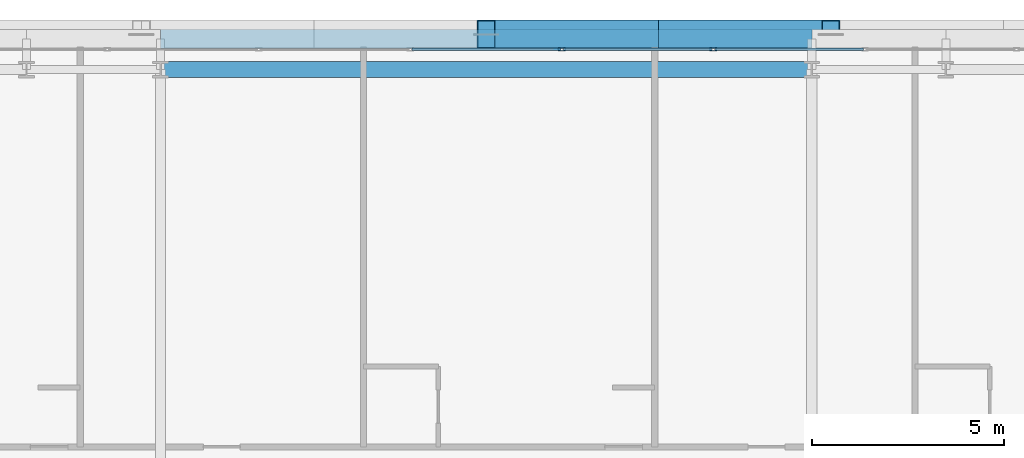
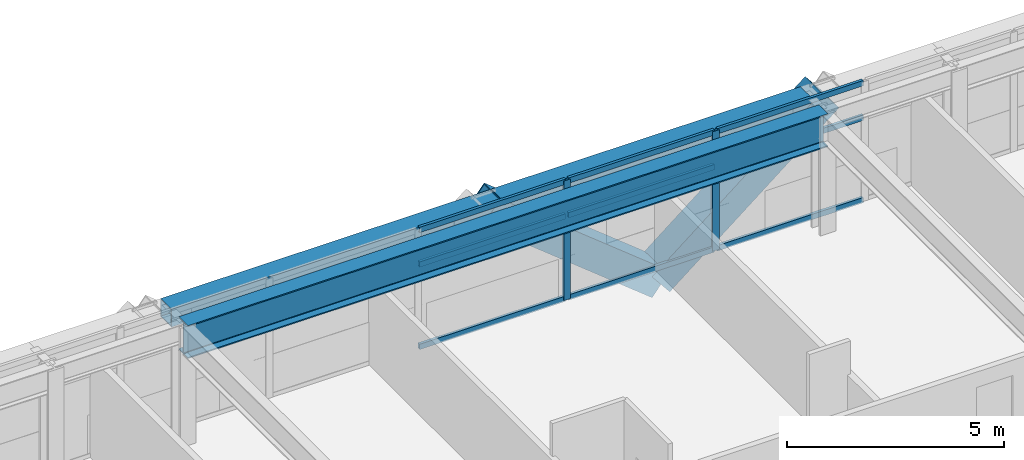
# One storey, part 19 of 35: 13 members, 2 beams, 1 element without a shape of its own.
"""IFC4 building model written with IfcOpenShell, lengths in metres."""

import ifcopenshell
import ifcopenshell.guid

model = None  # the IFC model being written
_history = None  # IfcOwnerHistory: only IFC2X3 demands one
_inside = {}  # id of a spatial element -> (the spatial element, [elements in it])
_under = {}  # id of a project, library or spatial element -> (it, [spatial elements below it])
_declared = {}  # id of a project -> (the project, [libraries it declares])
_typed = {}  # id of a type object -> (the type object, [elements of that type])
_made_of = {}  # id of a material, layer set ... -> (it, [elements and type objects made of it])


def new_model(schema):
    """Start an empty IFC model of exactly this schema.

    Asked for "IFC4X3", IfcOpenShell would pick the latest addendum, in which some entities
    have other attributes; the version numbers below select the first issue.
    IFC2X3 requires an IfcOwnerHistory on every rooted entity: one is made here for all.
    """
    global model, _history
    if schema == "IFC4X3":
        model = ifcopenshell.file(schema_version=(4, 3, 0, 0))
    else:
        model = ifcopenshell.file(schema=schema)
    _inside.clear()
    _under.clear()
    _declared.clear()
    _typed.clear()
    _made_of.clear()
    _history = None
    if model.schema == "IFC2X3":
        org = make("IfcOrganization", Name="unknown")
        user = make(
            "IfcPersonAndOrganization",
            ThePerson=make("IfcPerson", FamilyName="unknown"),
            TheOrganization=org,
        )
        app = make(
            "IfcApplication",
            ApplicationDeveloper=org,
            Version="unknown",
            ApplicationFullName="unknown",
            ApplicationIdentifier="unknown",
        )
        _history = make(
            "IfcOwnerHistory",
            OwningUser=user,
            OwningApplication=app,
            ChangeAction="ADDED",
            CreationDate=0,
        )
    return model


def make(cls, **values):
    """One entity of the class cls with the attributes given. An attribute that is None is left unset."""
    return model.create_entity(
        cls, **{name: value for name, value in values.items() if value is not None}
    )


def rooted(cls, **values):
    """An entity with a GlobalId (a new one), such as an element, a storey or a relation."""
    return make(cls, GlobalId=ifcopenshell.guid.new(), OwnerHistory=_history, **values)


def si_unit(unit_type, name, prefix=None):
    """IfcSIUnit, for example si_unit("LENGTHUNIT", "METRE", prefix="MILLI")."""
    return make("IfcSIUnit", UnitType=unit_type, Prefix=prefix, Name=name)


def assignment(units):
    """IfcUnitAssignment: the units of a project."""
    return None if units is None else make("IfcUnitAssignment", Units=units)


def point(xyz):
    """IfcCartesianPoint."""
    return None if xyz is None else make("IfcCartesianPoint", Coordinates=xyz)


def direction(xyz):
    """IfcDirection."""
    return None if xyz is None else make("IfcDirection", DirectionRatios=xyz)


def frame(location, z_axis=None, x_axis=None):
    """IfcAxis2Placement3D, a coordinate frame: its origin and axes. An axis left out is left unset."""
    return make(
        "IfcAxis2Placement3D",
        Location=point(location),
        Axis=direction(z_axis),
        RefDirection=direction(x_axis),
    )


def frame_2d(location, x_axis=None):
    """IfcAxis2Placement2D, a coordinate frame in the plane: its origin and x axis."""
    return make(
        "IfcAxis2Placement2D", Location=point(location), RefDirection=direction(x_axis)
    )


def origin():
    """The frame at (0, 0, 0) with its axes left unset."""
    return frame((0.0, 0.0, 0.0))


def origin_2d():
    """The frame at (0, 0) in the plane with its x axis left unset."""
    return frame_2d((0.0, 0.0))


def place(relative_to, where):
    """IfcLocalPlacement: puts the frame where relative to a parent placement (None: the world)."""
    return make(
        "IfcLocalPlacement", PlacementRelTo=relative_to, RelativePlacement=where
    )


def context(
    kind, dimensions, precision=None, world=None, true_north=None, identifier=None
):
    """IfcGeometricRepresentationContext, for example the 3D "Model" context."""
    return make(
        "IfcGeometricRepresentationContext",
        ContextIdentifier=identifier,
        ContextType=kind,
        CoordinateSpaceDimension=dimensions,
        Precision=precision,
        WorldCoordinateSystem=world,
        TrueNorth=true_north,
    )


def subcontext(parent, identifier, kind, view, scale=None):
    """IfcGeometricRepresentationSubContext, for example "Body" below "Model"."""
    return make(
        "IfcGeometricRepresentationSubContext",
        ContextIdentifier=identifier,
        ContextType=kind,
        ParentContext=parent,
        TargetScale=scale,
        TargetView=view,
    )


def project(units=None, contexts=None):
    """IfcProject with its units and contexts."""
    return rooted(
        "IfcProject",
        Name="project",
        RepresentationContexts=contexts,
        UnitsInContext=assignment(units),
    )


def spatial(cls, under=None, at=None, **own):
    """A site, building, storey or space (cls), placed at a placement, below another one or the project."""
    s = rooted(cls, ObjectPlacement=at, **own)
    if under is not None:
        _under.setdefault(under.id(), (under, []))[1].append(s)
    return s


def profile(cls, at=None, kind="AREA", **sizes):
    """A parametric profile (cls). Its sizes go by their IFC names, for example OverallWidth=200.0."""
    return make(cls, ProfileType=kind, Position=at, **sizes)


def hollow_rectangle(**sizes):
    """IfcRectangleHollowProfileDef."""
    return profile("IfcRectangleHollowProfileDef", **sizes)


def i_section(**sizes):
    """IfcIShapeProfileDef."""
    return profile("IfcIShapeProfileDef", **sizes)


def extrude(swept, where, along, depth):
    """IfcExtrudedAreaSolid: the profile swept, set in the frame where, extruded along a direction by depth."""
    return make(
        "IfcExtrudedAreaSolid",
        SweptArea=swept,
        Position=where,
        ExtrudedDirection=direction(along),
        Depth=depth,
    )


def shape(context_of_items, identifier, shape_type, items):
    """IfcShapeRepresentation: the items that make up one representation, for example the "Body"."""
    return make(
        "IfcShapeRepresentation",
        ContextOfItems=context_of_items,
        RepresentationIdentifier=identifier,
        RepresentationType=shape_type,
        Items=items,
    )


def source(mapping_origin, context_of_items, identifier, shape_type, items):
    """IfcRepresentationMap: a shape defined once, which mapped items show again and again."""
    return make(
        "IfcRepresentationMap",
        MappingOrigin=mapping_origin,
        MappedRepresentation=shape(context_of_items, identifier, shape_type, items),
    )


def transform(
    local_origin,
    x_axis=None,
    y_axis=None,
    z_axis=None,
    scale=None,
    scale2=None,
    scale3=None,
    uniform=True,
):
    """IfcCartesianTransformationOperator3D, or its non-uniform kind. x_axis, y_axis, z_axis: its Axis1, 2, 3."""
    if uniform:
        return make(
            "IfcCartesianTransformationOperator3D",
            Axis1=direction(x_axis),
            Axis2=direction(y_axis),
            LocalOrigin=point(local_origin),
            Scale=scale,
            Axis3=direction(z_axis),
        )
    return make(
        "IfcCartesianTransformationOperator3DnonUniform",
        Axis1=direction(x_axis),
        Axis2=direction(y_axis),
        LocalOrigin=point(local_origin),
        Scale=scale,
        Axis3=direction(z_axis),
        Scale2=scale2,
        Scale3=scale3,
    )


def mapped(mapping_source, mapping_target):
    """IfcMappedItem: shows the shape of a source again, moved by a transform."""
    return make(
        "IfcMappedItem", MappingSource=mapping_source, MappingTarget=mapping_target
    )


def material(Name=None, Category=None):
    """IfcMaterial."""
    return make("IfcMaterial", Name=Name, Category=Category)


def layer(
    of_material, thickness, ventilated=None, Name=None, Category=None, Priority=None
):
    """IfcMaterialLayer: one layer of a wall or slab, of a material (None: an air gap)."""
    return make(
        "IfcMaterialLayer",
        Material=of_material,
        LayerThickness=thickness,
        IsVentilated=ventilated,
        Name=Name,
        Category=Category,
        Priority=Priority,
    )


def layer_set(layers, Name=None):
    """IfcMaterialLayerSet."""
    return make("IfcMaterialLayerSet", MaterialLayers=layers, LayerSetName=Name)


def material_profile(
    of_material, cross_section, Name=None, Category=None, Priority=None
):
    """IfcMaterialProfile: a cross section and its material."""
    return make(
        "IfcMaterialProfile",
        Name=Name,
        Material=of_material,
        Profile=cross_section,
        Priority=Priority,
        Category=Category,
    )


def profile_set(profiles, Name=None, composite=None):
    """IfcMaterialProfileSet."""
    return make(
        "IfcMaterialProfileSet",
        Name=Name,
        MaterialProfiles=profiles,
        CompositeProfile=composite,
    )


def made_of(thing, what):
    """Note that an element or type object is made of a material, layer set ...; save() writes the relation."""
    if what is not None:
        _made_of.setdefault(what.id(), (what, []))[1].append(thing)
    return thing


def type_object(cls, material=None, **own):
    """A type object (cls), such as IfcWallType, which elements share."""
    return made_of(rooted(cls, **own), material)


def element(
    cls,
    number,
    at=None,
    inside=None,
    cuts=None,
    type_object=None,
    material=None,
    context=None,
    identifier="Body",
    shape_type=None,
    held_by="IfcProductDefinitionShape",
    body=None,
    shapes=None,
    **own,
):
    """One element of the class cls, such as IfcWall. Its Tag is "e" and its number.

    at: its placement. inside: the storey or other place that contains it. cuts: it is an
    opening in that element (IfcRelVoidsElement). A single representation is given by context,
    identifier, shape_type and body (its items); several are given by shapes. held_by: the class
    of the entity that holds the representations. save() writes the other relations.
    """
    e = rooted(cls, Tag="e%d" % number, ObjectPlacement=at, **own)
    if body is not None:
        shapes = [shape(context, identifier, shape_type, body)]
    if shapes is not None:
        e.Representation = make(held_by, Representations=shapes)
    if inside is not None:
        _inside.setdefault(inside.id(), (inside, []))[1].append(e)
    if cuts is not None:
        rooted(
            "IfcRelVoidsElement", RelatingBuildingElement=cuts, RelatedOpeningElement=e
        )
    if type_object is not None:
        _typed.setdefault(type_object.id(), (type_object, []))[1].append(e)
    return made_of(e, material)


def aggregate(whole, parts):
    """IfcRelAggregates: a whole, such as a stair, and the parts it consists of."""
    return rooted("IfcRelAggregates", RelatingObject=whole, RelatedObjects=parts)


def save(model, path):
    """Write the relations noted so far, then the file.

    IfcRelAggregates (storeys below a building ...), IfcRelContainedInSpatialStructure (elements
    in a storey), IfcRelDefinesByType, IfcRelAssociatesMaterial and IfcRelDeclares: one each for
    every whole, place, type object, material and project.
    """
    for whole, parts in _under.values():
        aggregate(whole, parts)
    for where, things in _inside.values():
        rooted(
            "IfcRelContainedInSpatialStructure",
            RelatedElements=things,
            RelatingStructure=where,
        )
    for kind, things in _typed.values():
        rooted("IfcRelDefinesByType", RelatedObjects=things, RelatingType=kind)
    for what, things in _made_of.values():
        rooted("IfcRelAssociatesMaterial", RelatedObjects=things, RelatingMaterial=what)
    for by, libraries in _declared.values():
        rooted("IfcRelDeclares", RelatingContext=by, RelatedDefinitions=libraries)
    model.write(path)


model = new_model("IFC4")

# Units and contexts
model_context = context("Model", 3, precision=1e-05, world=origin(), true_north=direction((0.0, 1.0)))
body_context = subcontext(model_context, "Body", "Model", "MODEL_VIEW")
ifc_project = project(units=[si_unit("LENGTHUNIT", "METRE"), si_unit("AREAUNIT", "SQUARE_METRE"), si_unit("VOLUMEUNIT", "CUBIC_METRE"), si_unit("PLANEANGLEUNIT", "RADIAN"), si_unit("MASSUNIT", "GRAM", prefix="KILO")], contexts=[model_context])

# Site, building, storey
site_placement = place(None, origin())
site = spatial("IfcSite", under=ifc_project, at=site_placement, CompositionType="ELEMENT")
building_placement = place(site_placement, origin())
building = spatial("IfcBuilding", under=site, at=building_placement, Name="Ocotamira Hotel", CompositionType="ELEMENT")
storey_placement = place(building_placement, frame((0.0, 0.0, 115.199951171875)))
storey = spatial("IfcBuildingStorey", under=building, at=storey_placement, Name="L28", CompositionType="ELEMENT", Elevation=115.199951171875)

# Beams
ifc_material_1 = material(Name="Steel ASTM A992 Grade 50", Category="steel")
ifc_material_profile_1 = material_profile(ifc_material_1, i_section(OverallWidth=0.41796875, OverallDepth=0.927001953125, WebThickness=0.019287109375, FlangeThickness=0.031982421875, FilletRadius=0.02392578125, at=origin_2d()), Name="W36X231")
ifc_profile_set_1 = profile_set([ifc_material_profile_1], Name="Steel ASTM A992 Grade 50")
beam_type_1 = type_object("IfcBeamType", Name="BM-GIRD-W36X231", PredefinedType="BEAM", material=ifc_profile_set_1)
shared_shape_1 = source(origin(), body_context, "Body", "SweptSolid", [
    extrude(i_section(OverallWidth=0.41796875, OverallDepth=0.927001953125, WebThickness=0.019287109375, FlangeThickness=0.031982421875, FilletRadius=0.02392578125, at=origin_2d()), origin(), (0.0, 0.0, 1.0), 17.0),
])
beam_1_placement = place(storey_placement, frame((23.5, 49.050048828125, 2.896484375), z_axis=(1.0, 0.0, 0.0), x_axis=(0.0, 1.0, 0.0)))
element("IfcBeam", 1, at=beam_1_placement, inside=storey, type_object=beam_type_1, Name="L28 Girder Y49.05 X23.5-40.5", PredefinedType="BEAM", context=body_context, shape_type="MappedRepresentation", body=[
    mapped(shared_shape_1, transform((0.0, 0.0, 0.0), scale=1.0)),
])
ifc_material_2 = material(Name="Steel ASTM A500 Grade C", Category="steel")
ifc_material_profile_2 = material_profile(ifc_material_2, hollow_rectangle(XDim=0.5, YDim=0.5, WallThickness=0.02001953125, at=origin_2d()), Name="HSS500X500X20")
ifc_profile_set_2 = profile_set([ifc_material_profile_2], Name="Steel ASTM A500 Grade C")
beam_type_2 = type_object("IfcBeamType", Name="BM-SPAN-HSS500", PredefinedType="USERDEFINED", material=ifc_profile_set_2)
shared_shape_2 = source(origin(), body_context, "Body", "SweptSolid", [
    extrude(hollow_rectangle(XDim=0.5, YDim=0.5, WallThickness=0.02001953125, at=origin_2d()), origin(), (0.0, 0.0, 1.0), 17.0),
])
beam_2_placement = place(storey_placement, frame((23.5, 49.85009765625, 3.110107421875), z_axis=(1.0, 0.0, 0.0), x_axis=(0.0, 1.0, 0.0)))
element("IfcBeam", 2, at=beam_2_placement, inside=storey, type_object=beam_type_2, Name="L28 Edge Spandrel N X23.5-40.5", ObjectType="SPANDREL", PredefinedType="USERDEFINED", context=body_context, shape_type="MappedRepresentation", body=[
    mapped(shared_shape_2, transform((0.0, 0.0, 0.0), scale=1.0)),
])

# Members
ifc_material_3 = material(Name="Pale-metal coated steel ASTM A913 Grade 65", Category="steel")
ifc_material_profile_3 = material_profile(ifc_material_3, hollow_rectangle(XDim=0.75, YDim=0.75, WallThickness=0.028076171875, at=origin_2d()), Name="BOX750X750X28")
ifc_profile_set_3 = profile_set([ifc_material_profile_3], Name="Pale-metal coated steel ASTM A913 Grade 65")
member_type_1 = type_object("IfcMemberType", Name="MEM-EXO-BOX750", PredefinedType="BRACE", material=ifc_profile_set_3)
shared_shape_3 = source(origin(), body_context, "Body", "SweptSolid", [
    extrude(hollow_rectangle(XDim=0.75, YDim=0.75, WallThickness=0.028076171875, at=origin_2d()), origin(), (0.0, 0.0, 1.0), 5.762939453125),
])
for number, where, z_axis, x_axis, name in (
    (3, (36.5, 49.969970703125, -0.489990234375), (-0.780860543151, 0.0, 0.624705380279), (0.0, -1.0, 0.0), "L28 Exoskeleton Diagrid N2.1"),
    (4, (36.5, 49.969970703125, -0.489990234375), (0.780860543151, 0.0, 0.624705380279), (0.0, 1.0, 0.0), "L28 Exoskeleton Diagrid N2.2"),
):
    element("IfcMember", number, at=place(storey_placement, frame(where, z_axis=z_axis, x_axis=x_axis)), inside=storey, type_object=member_type_1, Name=name, PredefinedType="BRACE", context=body_context, shape_type="MappedRepresentation", body=[
        mapped(shared_shape_3, transform((0.0, 0.0, 0.0), scale=1.0)),
    ])

# Curtain wall, members
ifc_material_4 = material(Name="Anodised pale-metal aluminium and solar glass", Category="aluminium")
ifc_layer = layer(ifc_material_4, 0.179931640625)
ifc_layer_set = layer_set([ifc_layer], Name="Anodised pale-metal aluminium and solar glass")
curtain_wall_type = type_object("IfcCurtainWallType", Name="CW-SYS3-Z2", PredefinedType="NOTDEFINED", material=ifc_layer_set)
curtain_wall_placement = place(storey_placement, origin())
curtain_wall = element("IfcCurtainWall", 5, at=curtain_wall_placement, inside=storey, type_object=curtain_wall_type, Name="L28 Curtain Wall CW-3 CW-L28-N", PredefinedType="NOTDEFINED")
ifc_material_5 = material(Name="Anodised pale-metal aluminium 6063-T6", Category="aluminium")
ifc_material_profile_4 = material_profile(ifc_material_5, hollow_rectangle(XDim=0.074951171875, YDim=0.14990234375, WallThickness=0.006103515625, at=origin_2d()), Name="HSS150X75X6")
ifc_profile_set_4 = profile_set([ifc_material_profile_4], Name="Anodised pale-metal aluminium 6063-T6")
member_type_2 = type_object("IfcMemberType", Name="CWT-150X75", PredefinedType="USERDEFINED", material=ifc_profile_set_4)
shared_shape_4 = source(origin(), body_context, "Body", "SweptSolid", [
    extrude(hollow_rectangle(XDim=0.074951171875, YDim=0.14990234375, WallThickness=0.006103515625, at=origin_2d()), origin(), (0.0, 0.0, 1.0), 3.87548828125),
])
member_1_placement = place(storey_placement, frame((30.062255859375, 49.580078125, 0.03759765625), z_axis=(1.0, 0.0, 0.0), x_axis=(0.0, 1.0, 0.0)))
member_1 = element("IfcMember", 6, at=member_1_placement, type_object=member_type_2, Name="CW-3 transom 5.1", ObjectType="TRANSOM", PredefinedType="USERDEFINED", context=body_context, shape_type="MappedRepresentation", body=[
    mapped(shared_shape_4, transform((0.0, 0.0, 0.0), scale=1.0)),
])
member_2_placement = place(storey_placement, frame((30.062255859375, 49.580078125, 2.35009765625), z_axis=(1.0, 0.0, 0.0), x_axis=(0.0, 1.0, 0.0)))
member_2 = element("IfcMember", 7, at=member_2_placement, type_object=member_type_2, Name="CW-3 transom 5.2", ObjectType="TRANSOM", PredefinedType="USERDEFINED", context=body_context, shape_type="MappedRepresentation", body=[
    mapped(shared_shape_4, transform((0.0, 0.0, 0.0), scale=1.0)),
])
member_3_placement = place(storey_placement, frame((30.062255859375, 49.580078125, 3.322509765625), z_axis=(1.0, 0.0, 0.0), x_axis=(0.0, 1.0, 0.0)))
member_3 = element("IfcMember", 8, at=member_3_placement, type_object=member_type_2, Name="CW-3 transom 5.3", ObjectType="TRANSOM", PredefinedType="USERDEFINED", context=body_context, shape_type="MappedRepresentation", body=[
    mapped(shared_shape_4, transform((0.0, 0.0, 0.0), scale=1.0)),
])
member_4_placement = place(storey_placement, frame((34.017822265625, 49.580078125, 0.03759765625), z_axis=(1.0, 0.0, 0.0), x_axis=(0.0, 1.0, 0.0)))
member_4 = element("IfcMember", 9, at=member_4_placement, type_object=member_type_2, Name="CW-3 transom 6.1", ObjectType="TRANSOM", PredefinedType="USERDEFINED", context=body_context, shape_type="MappedRepresentation", body=[
    mapped(shared_shape_4, transform((0.0, 0.0, 0.0), scale=1.0)),
])
member_5_placement = place(storey_placement, frame((34.017822265625, 49.580078125, 2.35009765625), z_axis=(1.0, 0.0, 0.0), x_axis=(0.0, 1.0, 0.0)))
member_5 = element("IfcMember", 10, at=member_5_placement, type_object=member_type_2, Name="CW-3 transom 6.2", ObjectType="TRANSOM", PredefinedType="USERDEFINED", context=body_context, shape_type="MappedRepresentation", body=[
    mapped(shared_shape_4, transform((0.0, 0.0, 0.0), scale=1.0)),
])
member_6_placement = place(storey_placement, frame((34.017822265625, 49.580078125, 3.322509765625), z_axis=(1.0, 0.0, 0.0), x_axis=(0.0, 1.0, 0.0)))
member_6 = element("IfcMember", 11, at=member_6_placement, type_object=member_type_2, Name="CW-3 transom 6.3", ObjectType="TRANSOM", PredefinedType="USERDEFINED", context=body_context, shape_type="MappedRepresentation", body=[
    mapped(shared_shape_4, transform((0.0, 0.0, 0.0), scale=1.0)),
])
member_7_placement = place(storey_placement, frame((37.973388671875, 49.580078125, 0.03759765625), z_axis=(1.0, 0.0, 0.0), x_axis=(0.0, 1.0, 0.0)))
member_7 = element("IfcMember", 12, at=member_7_placement, type_object=member_type_2, Name="CW-3 transom 7.1", ObjectType="TRANSOM", PredefinedType="USERDEFINED", context=body_context, shape_type="MappedRepresentation", body=[
    mapped(shared_shape_4, transform((0.0, 0.0, 0.0), scale=1.0)),
])
member_8_placement = place(storey_placement, frame((37.973388671875, 49.580078125, 2.35009765625), z_axis=(1.0, 0.0, 0.0), x_axis=(0.0, 1.0, 0.0)))
member_8 = element("IfcMember", 13, at=member_8_placement, type_object=member_type_2, Name="CW-3 transom 7.2", ObjectType="TRANSOM", PredefinedType="USERDEFINED", context=body_context, shape_type="MappedRepresentation", body=[
    mapped(shared_shape_4, transform((0.0, 0.0, 0.0), scale=1.0)),
])
member_9_placement = place(storey_placement, frame((37.973388671875, 49.580078125, 3.322509765625), z_axis=(1.0, 0.0, 0.0), x_axis=(0.0, 1.0, 0.0)))
member_9 = element("IfcMember", 14, at=member_9_placement, type_object=member_type_2, Name="CW-3 transom 7.3", ObjectType="TRANSOM", PredefinedType="USERDEFINED", context=body_context, shape_type="MappedRepresentation", body=[
    mapped(shared_shape_4, transform((0.0, 0.0, 0.0), scale=1.0)),
])
ifc_material_profile_5 = material_profile(ifc_material_5, hollow_rectangle(XDim=0.080078125, YDim=0.179931640625, WallThickness=0.006103515625, at=origin_2d()), Name="HSS180X80X6")
ifc_profile_set_5 = profile_set([ifc_material_profile_5], Name="Anodised pale-metal aluminium 6063-T6")
member_type_3 = type_object("IfcMemberType", Name="CWM-180X75", PredefinedType="MULLION", material=ifc_profile_set_5)
shared_shape_5 = source(origin(), body_context, "Body", "SweptSolid", [
    extrude(hollow_rectangle(XDim=0.080078125, YDim=0.179931640625, WallThickness=0.006103515625, at=origin_2d()), origin(), (0.0, 0.0, 1.0), 3.360107421875),
])
member_10_placement = place(storey_placement, frame((33.977783203125, 49.580078125, 0.0), z_axis=(0.0, 0.0, 1.0), x_axis=(0.0, 1.0, 0.0)))
member_10 = element("IfcMember", 15, at=member_10_placement, type_object=member_type_3, Name="CW-3 mullion 6", PredefinedType="MULLION", context=body_context, shape_type="MappedRepresentation", body=[
    mapped(shared_shape_5, transform((0.0, 0.0, 0.0), scale=1.0)),
])
member_11_placement = place(storey_placement, frame((37.933349609375, 49.580078125, 0.0), z_axis=(0.0, 0.0, 1.0), x_axis=(0.0, 1.0, 0.0)))
member_11 = element("IfcMember", 16, at=member_11_placement, type_object=member_type_3, Name="CW-3 mullion 7", PredefinedType="MULLION", context=body_context, shape_type="MappedRepresentation", body=[
    mapped(shared_shape_5, transform((0.0, 0.0, 0.0), scale=1.0)),
])
aggregate(curtain_wall, [member_10, member_11, member_1, member_2, member_3, member_4, member_5, member_6, member_7, member_8, member_9])

save(model, "model.ifc")
